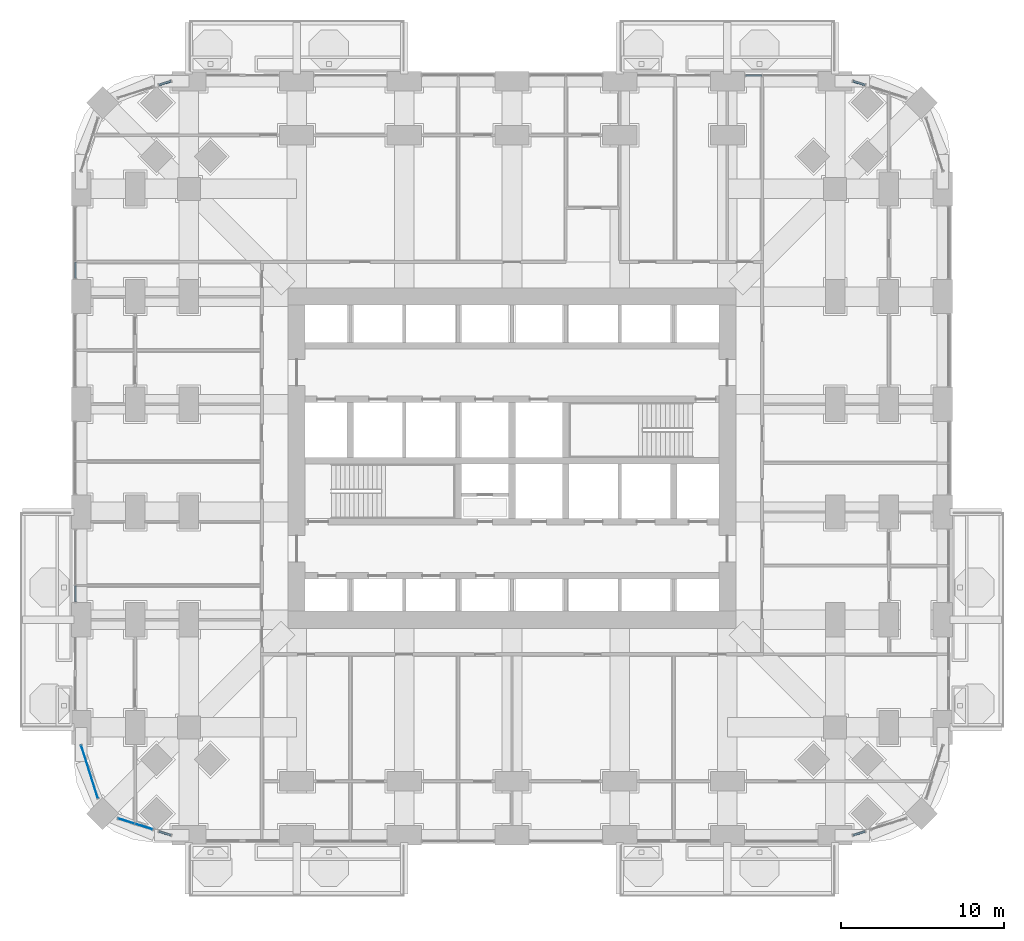
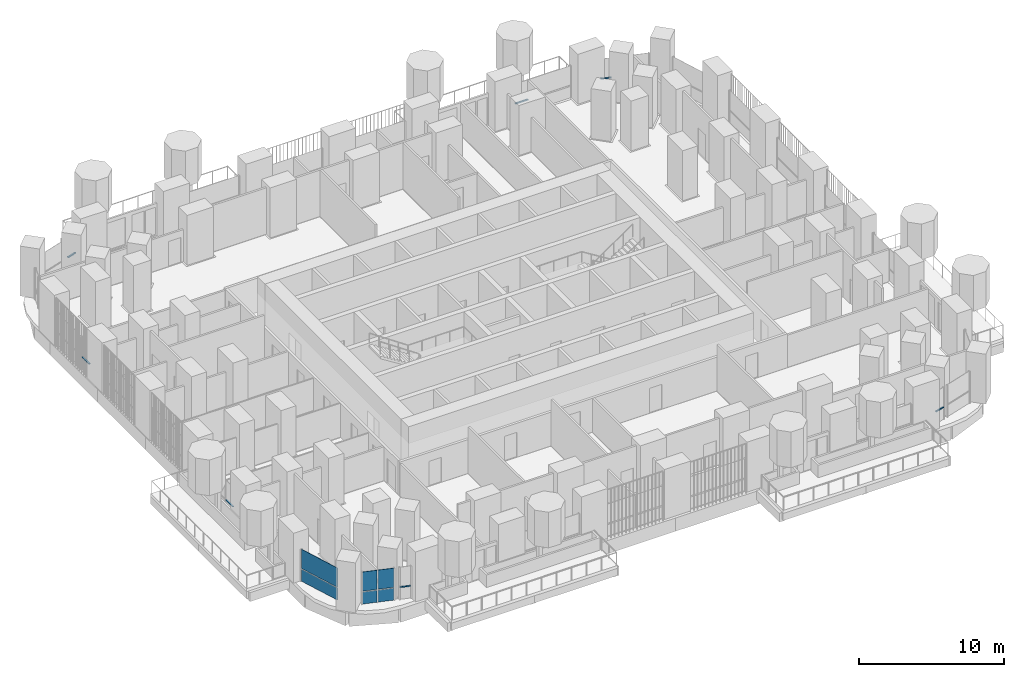
# One storey, part 11 of 27: 7 members, 6 plates, 9 elements without a shape of their own.
"""IFC4 building model written with IfcOpenShell, lengths in metres."""

from ifc_helpers import new_model, si_unit, direction, frame, origin, origin_2d, place, context, subcontext, project, spatial, rectangle, extrude, material, layer, layer_set, material_profile, profile_set, type_object, element, aggregate, save


model = new_model("IFC4")

# Units and contexts
model_context = context("Model", 3, precision=1e-05, world=origin(), true_north=direction((0.0, 1.0)))
body_context = subcontext(model_context, "Body", "Model", "MODEL_VIEW")
ifc_project = project(units=[si_unit("LENGTHUNIT", "METRE"), si_unit("AREAUNIT", "SQUARE_METRE"), si_unit("VOLUMEUNIT", "CUBIC_METRE"), si_unit("PLANEANGLEUNIT", "RADIAN"), si_unit("MASSUNIT", "GRAM", prefix="KILO")], contexts=[model_context])

# Site, building, storey
site_placement = place(None, origin())
site = spatial("IfcSite", under=ifc_project, at=site_placement, CompositionType="ELEMENT")
building_placement = place(site_placement, origin())
building = spatial("IfcBuilding", under=site, at=building_placement, Name="Cobogo Forest Laboratory Tower", CompositionType="ELEMENT")
storey_placement = place(building_placement, frame((0.0, 0.0, 38.10009765625)))
storey = spatial("IfcBuildingStorey", under=building, at=storey_placement, Name="L08", CompositionType="ELEMENT", Elevation=38.10009765625)

# Curtain wall, member
ifc_material_1 = material(Name="Aluminium curtain wall", Category="aluminium")
curtain_wall_type = type_object("IfcCurtainWallType", Name="CW-1 unitised curtain wall, clear glazing, laboratory floors zones A and B", PredefinedType="USERDEFINED", material=ifc_material_1)
curtain_wall_1_placement = place(storey_placement, origin())
curtain_wall_1 = element("IfcCurtainWall", 1, at=curtain_wall_1_placement, inside=storey, type_object=curtain_wall_type, Name="Curtain wall 07 L08", ObjectType="UNITISED CURTAIN WALL", PredefinedType="USERDEFINED")
ifc_material_2 = material(Name="Aluminium transom", Category="aluminium")
ifc_material_profile = material_profile(ifc_material_2, rectangle(XDim=0.1201171875, YDim=0.06005859375, at=origin_2d()), Name="AL 60x120")
ifc_profile_set = profile_set([ifc_material_profile], Name="Aluminium transom")
member_type = type_object("IfcMemberType", Name="TR-1 aluminium transom 60x120", PredefinedType="USERDEFINED", material=ifc_profile_set)
member_1_placement = place(storey_placement, frame((47.30712890625, -0.000244140625, 1.0498046875), z_axis=(0.95359247203, 0.301100311005, 0.0), x_axis=(-0.301100311005, 0.95359247203, 0.0)))
member_1 = element("IfcMember", 2, at=member_1_placement, type_object=member_type, Name="CW-1 transom 1.1", ObjectType="TRANSOM", PredefinedType="USERDEFINED", context=body_context, shape_type="SweptSolid", body=[
    extrude(rectangle(XDim=0.1201171875, YDim=0.06005859375, at=origin_2d()), origin(), (0.0, 0.0, 1.0), 0.75244140625),
])
aggregate(curtain_wall_1, [member_1])

curtain_wall_2_placement = place(storey_placement, origin())
curtain_wall_2 = element("IfcCurtainWall", 3, at=curtain_wall_2_placement, inside=storey, type_object=curtain_wall_type, Name="Curtain wall 17 L08", ObjectType="UNITISED CURTAIN WALL", PredefinedType="USERDEFINED")
member_2_placement = place(storey_placement, frame((48.024658203125, 45.973876953125, 1.0498046875), z_axis=(-0.95359247203, 0.301100311005, 0.0), x_axis=(-0.301100311005, -0.95359247203, 0.0)))
member_2 = element("IfcMember", 4, at=member_2_placement, type_object=member_type, Name="CW-1 transom 1.1", ObjectType="TRANSOM", PredefinedType="USERDEFINED", context=body_context, shape_type="SweptSolid", body=[
    extrude(rectangle(XDim=0.1201171875, YDim=0.06005859375, at=origin_2d()), origin(), (0.0, 0.0, 1.0), 0.75244140625),
])
aggregate(curtain_wall_2, [member_2])

curtain_wall_3_placement = place(storey_placement, origin())
curtain_wall_3 = element("IfcCurtainWall", 5, at=curtain_wall_3_placement, inside=storey, type_object=curtain_wall_type, Name="Curtain wall 18 L08", ObjectType="UNITISED CURTAIN WALL", PredefinedType="USERDEFINED")
member_3_placement = place(storey_placement, frame((41.695068359375, 46.550048828125, 1.0498046875), z_axis=(-1.0, 0.0, 0.0), x_axis=(0.0, -1.0, 0.0)))
member_3 = element("IfcMember", 6, at=member_3_placement, type_object=member_type, Name="CW-1 transom 2.1", ObjectType="TRANSOM", PredefinedType="USERDEFINED", context=body_context, shape_type="SweptSolid", body=[
    extrude(rectangle(XDim=0.1201171875, YDim=0.06005859375, at=origin_2d()), origin(), (0.0, 0.0, 1.0), 0.985107421875),
])
aggregate(curtain_wall_3, [member_3])

curtain_wall_4_placement = place(storey_placement, origin())
curtain_wall_4 = element("IfcCurtainWall", 7, at=curtain_wall_4_placement, inside=storey, type_object=curtain_wall_type, Name="Curtain wall 24 L08", ObjectType="UNITISED CURTAIN WALL", PredefinedType="USERDEFINED")
member_4_placement = place(storey_placement, frame((5.49267578125, 46.200439453125, 1.0498046875), z_axis=(-0.953563042236, -0.301193500066, 0.0), x_axis=(0.301193500066, -0.953563042236, 0.0)))
member_4 = element("IfcMember", 8, at=member_4_placement, type_object=member_type, Name="CW-1 transom 1.1", ObjectType="TRANSOM", PredefinedType="USERDEFINED", context=body_context, shape_type="SweptSolid", body=[
    extrude(rectangle(XDim=0.1201171875, YDim=0.06005859375, at=origin_2d()), origin(), (0.0, 0.0, 1.0), 0.752197265625),
])
aggregate(curtain_wall_4, [member_4])

curtain_wall_5_placement = place(storey_placement, origin())
curtain_wall_5 = element("IfcCurtainWall", 9, at=curtain_wall_5_placement, inside=storey, type_object=curtain_wall_type, Name="Curtain wall 27 L08", ObjectType="UNITISED CURTAIN WALL", PredefinedType="USERDEFINED")
member_5_placement = place(storey_placement, frame((-0.35009765625, 35.094970703125, 1.0498046875), z_axis=(0.0, -1.0, 0.0), x_axis=(1.0, 0.0, 0.0)))
member_5 = element("IfcMember", 10, at=member_5_placement, type_object=member_type, Name="CW-1 transom 2.1", ObjectType="TRANSOM", PredefinedType="USERDEFINED", context=body_context, shape_type="SweptSolid", body=[
    extrude(rectangle(XDim=0.1201171875, YDim=0.06005859375, at=origin_2d()), origin(), (0.0, 0.0, 1.0), 0.98486328125),
])
aggregate(curtain_wall_5, [member_5])

curtain_wall_6_placement = place(storey_placement, origin())
curtain_wall_6 = element("IfcCurtainWall", 11, at=curtain_wall_6_placement, inside=storey, type_object=curtain_wall_type, Name="Curtain wall 30 L08", ObjectType="UNITISED CURTAIN WALL", PredefinedType="USERDEFINED")
member_6_placement = place(storey_placement, frame((-0.35009765625, 15.27001953125, 1.0498046875), z_axis=(0.0, -1.0, 0.0), x_axis=(1.0, 0.0, 0.0)))
member_6 = element("IfcMember", 12, at=member_6_placement, type_object=member_type, Name="CW-1 transom 2.1", ObjectType="TRANSOM", PredefinedType="USERDEFINED", context=body_context, shape_type="SweptSolid", body=[
    extrude(rectangle(XDim=0.1201171875, YDim=0.06005859375, at=origin_2d()), origin(), (0.0, 0.0, 1.0), 0.9599609375),
])
aggregate(curtain_wall_6, [member_6])

curtain_wall_7_placement = place(storey_placement, origin())
curtain_wall_7 = element("IfcCurtainWall", 13, at=curtain_wall_7_placement, inside=storey, type_object=curtain_wall_type, Name="Curtain wall 34 L08", ObjectType="UNITISED CURTAIN WALL", PredefinedType="USERDEFINED")
member_7_placement = place(storey_placement, frame((4.775390625, 0.226318359375, 1.0498046875), z_axis=(0.953563042236, -0.301193500066, 0.0), x_axis=(0.301193500066, 0.953563042236, 0.0)))
member_7 = element("IfcMember", 14, at=member_7_placement, type_object=member_type, Name="CW-1 transom 1.1", ObjectType="TRANSOM", PredefinedType="USERDEFINED", context=body_context, shape_type="SweptSolid", body=[
    extrude(rectangle(XDim=0.1201171875, YDim=0.06005859375, at=origin_2d()), origin(), (0.0, 0.0, 1.0), 0.752197265625),
])
aggregate(curtain_wall_7, [member_7])

# Curtain wall, plates
curtain_wall_8_placement = place(storey_placement, origin())
curtain_wall_8 = element("IfcCurtainWall", 15, at=curtain_wall_8_placement, inside=storey, type_object=curtain_wall_type, Name="Curtain wall 32 L08", ObjectType="UNITISED CURTAIN WALL", PredefinedType="USERDEFINED")
ifc_material_3 = material(Name="Clear insulated glass", Category="glass")
ifc_layer = layer(ifc_material_3, 0.028076171875)
ifc_layer_set = layer_set([ifc_layer], Name="GP-1 clear insulated glass unit 28")
plate_type = type_object("IfcPlateType", Name="GP-1 clear insulated glass unit 28", PredefinedType="CURTAIN_PANEL", material=ifc_layer_set)
plate_1_placement = place(storey_placement, frame((0.509033203125, 3.880126953125, 0.0), z_axis=(0.0, 0.0, 1.0), x_axis=(0.30113535792, -0.95358140513, 0.0)))
plate_1 = element("IfcPlate", 16, at=plate_1_placement, type_object=plate_type, Name="CW-1 panel 1.1", PredefinedType="CURTAIN_PANEL", context=body_context, shape_type="SweptSolid", body=[
    extrude(rectangle(XDim=3.382568359375, YDim=0.028076171875, at=origin_2d()), origin(), (0.0, 0.0, 1.0), 1.02001953125),
])
plate_2_placement = place(storey_placement, frame((0.509033203125, 3.880126953125, 1.079833984375), z_axis=(0.0, 0.0, 1.0), x_axis=(0.30113535792, -0.95358140513, 0.0)))
plate_2 = element("IfcPlate", 17, at=plate_2_placement, type_object=plate_type, Name="CW-1 panel 1.2", PredefinedType="CURTAIN_PANEL", context=body_context, shape_type="SweptSolid", body=[
    extrude(rectangle(XDim=3.382568359375, YDim=0.028076171875, at=origin_2d()), origin(), (0.0, 0.0, 1.0), 1.6201171875),
])
aggregate(curtain_wall_8, [plate_1, plate_2])

curtain_wall_9_placement = place(storey_placement, origin())
curtain_wall_9 = element("IfcCurtainWall", 18, at=curtain_wall_9_placement, inside=storey, type_object=curtain_wall_type, Name="Curtain wall 33 L08", ObjectType="UNITISED CURTAIN WALL", PredefinedType="USERDEFINED")
plate_3_placement = place(storey_placement, frame((2.75732421875, 0.863525390625, 0.0), z_axis=(0.0, 0.0, 1.0), x_axis=(0.953581409645, -0.301135343623, 0.0)))
plate_3 = element("IfcPlate", 19, at=plate_3_placement, type_object=plate_type, Name="CW-1 panel 1.1", PredefinedType="CURTAIN_PANEL", context=body_context, shape_type="SweptSolid", body=[
    extrude(rectangle(XDim=1.027587890625, YDim=0.028076171875, at=origin_2d()), origin(), (0.0, 0.0, 1.0), 1.02001953125),
])
plate_4_placement = place(storey_placement, frame((2.75732421875, 0.863525390625, 1.079833984375), z_axis=(0.0, 0.0, 1.0), x_axis=(0.953581409645, -0.301135343623, 0.0)))
plate_4 = element("IfcPlate", 20, at=plate_4_placement, type_object=plate_type, Name="CW-1 panel 1.2", PredefinedType="CURTAIN_PANEL", context=body_context, shape_type="SweptSolid", body=[
    extrude(rectangle(XDim=1.027587890625, YDim=0.028076171875, at=origin_2d()), origin(), (0.0, 0.0, 1.0), 1.6201171875),
])
plate_5_placement = place(storey_placement, frame((3.83642578125, 0.522705078125, 0.0), z_axis=(0.0, 0.0, 1.0), x_axis=(0.953581409645, -0.301135343623, 0.0)))
plate_5 = element("IfcPlate", 21, at=plate_5_placement, type_object=plate_type, Name="CW-1 panel 2.1", PredefinedType="CURTAIN_PANEL", context=body_context, shape_type="SweptSolid", body=[
    extrude(rectangle(XDim=1.11572265625, YDim=0.028076171875, at=origin_2d()), origin(), (0.0, 0.0, 1.0), 1.02001953125),
])
plate_6_placement = place(storey_placement, frame((3.83642578125, 0.522705078125, 1.079833984375), z_axis=(0.0, 0.0, 1.0), x_axis=(0.953581409645, -0.301135343623, 0.0)))
plate_6 = element("IfcPlate", 22, at=plate_6_placement, type_object=plate_type, Name="CW-1 panel 2.2", PredefinedType="CURTAIN_PANEL", context=body_context, shape_type="SweptSolid", body=[
    extrude(rectangle(XDim=1.11572265625, YDim=0.028076171875, at=origin_2d()), origin(), (0.0, 0.0, 1.0), 1.6201171875),
])
aggregate(curtain_wall_9, [plate_3, plate_4, plate_5, plate_6])

save(model, "model.ifc")
